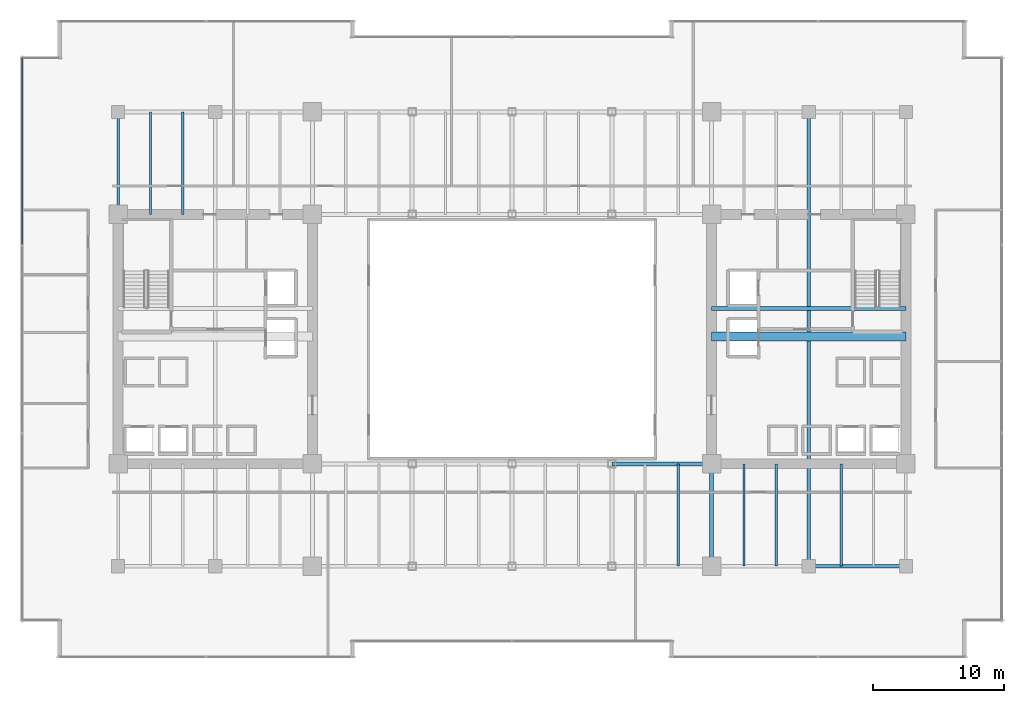
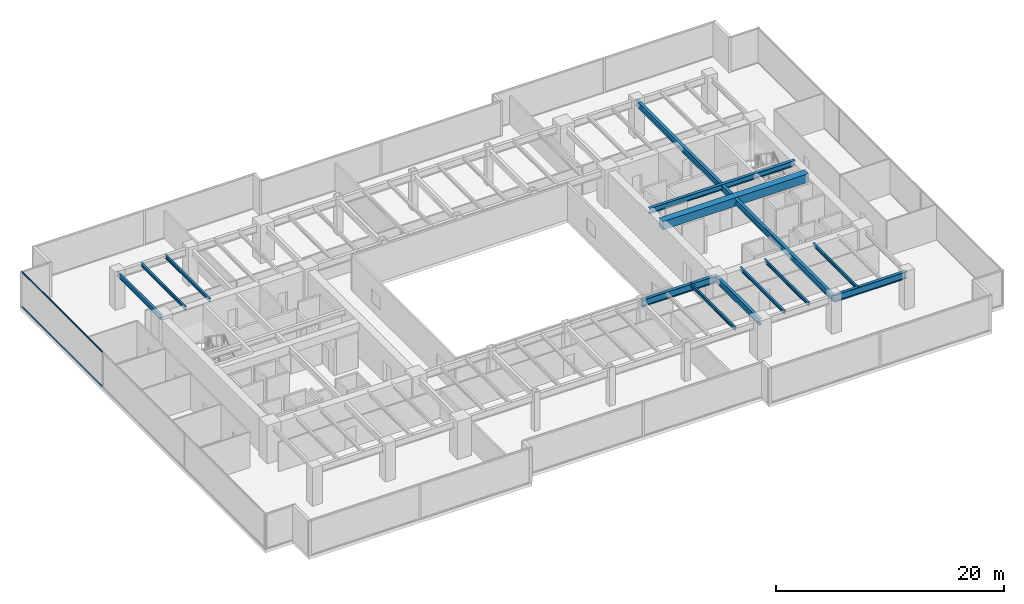
# One storey, part 11 of 35: 13 beams, 2 members, 1 element without a shape of its own.
"""IFC4 building model written with IfcOpenShell, lengths in metres."""

from ifc_helpers import new_model, si_unit, direction, frame, origin, origin_2d, place, context, subcontext, project, spatial, rectangle, hollow_rectangle, i_section, extrude, source, transform, mapped, material, layer, layer_set, material_profile, profile_set, type_object, type_shapes, element, aggregate, save


model = new_model("IFC4")

# Units and contexts
model_context = context("Model", 3, precision=1e-05, world=origin(), true_north=direction((0.0, 1.0)))
body_context = subcontext(model_context, "Body", "Model", "MODEL_VIEW")
ifc_project = project(units=[si_unit("LENGTHUNIT", "METRE"), si_unit("AREAUNIT", "SQUARE_METRE"), si_unit("VOLUMEUNIT", "CUBIC_METRE"), si_unit("PLANEANGLEUNIT", "RADIAN"), si_unit("MASSUNIT", "GRAM", prefix="KILO")], contexts=[model_context])

# Site, building, storey
site_placement = place(None, origin())
site = spatial("IfcSite", under=ifc_project, at=site_placement, CompositionType="ELEMENT")
building_placement = place(site_placement, origin())
building = spatial("IfcBuilding", under=site, at=building_placement, Name="Haelvirn Gate Laboratories", CompositionType="ELEMENT")
storey_placement = place(building_placement, frame((0.0, 0.0, 90.800048828125)))
storey = spatial("IfcBuildingStorey", under=building, at=storey_placement, Name="L22", CompositionType="ELEMENT", Elevation=90.800048828125)

# Beams
ifc_material_1 = material(Name="Concrete C60/75", Category="concrete")
ifc_material_profile_1 = material_profile(ifc_material_1, rectangle(XDim=0.699951171875, YDim=0.89990234375, at=origin_2d()), Name="RCB-700x900")
ifc_profile_set_1 = profile_set([ifc_material_profile_1], Name="Concrete C60/75")
beam_type_1 = type_object("IfcBeamType", Name="BM-RCB-900", PredefinedType="LINTEL", material=ifc_profile_set_1)
shared_shape_1 = source(origin(), body_context, "Body", "SweptSolid", [
    extrude(rectangle(XDim=0.699951171875, YDim=0.89990234375, at=origin_2d()), origin(), (0.0, 0.0, 1.0), 14.7998046875),
])
type_shapes(beam_type_1, [shared_shape_1])
beam_1_placement = place(storey_placement, frame((52.60009765625, 24.5, 3.329833984375), z_axis=(1.0, 0.0, 0.0), x_axis=(0.0, 1.0, 0.0)))
element("IfcBeam", 1, at=beam_1_placement, inside=storey, type_object=beam_type_1, Name="L22 East Core Coupling Beam", PredefinedType="LINTEL", context=body_context, shape_type="MappedRepresentation", body=[
    mapped(shared_shape_1, transform((0.0, 0.0, 0.0), scale=1.0)),
])
ifc_material_2 = material(Name="Steel SM355", Category="steel")
ifc_material_profile_2 = material_profile(ifc_material_2, i_section(OverallWidth=0.300048828125, OverallDepth=0.587890625, WebThickness=0.011962890625, FlangeThickness=0.02001953125, at=origin_2d()), Name="H-588x300x12x20")
ifc_profile_set_2 = profile_set([ifc_material_profile_2], Name="Steel SM355")
beam_type_2 = type_object("IfcBeamType", Name="BM-G-588", PredefinedType="BEAM", material=ifc_profile_set_2)
shared_shape_2 = source(origin(), body_context, "Body", "SweptSolid", [
    extrude(i_section(OverallWidth=0.300048828125, OverallDepth=0.587890625, WebThickness=0.011962890625, FlangeThickness=0.02001953125, at=origin_2d()), origin(), (0.0, 0.0, 1.0), 14.7998046875),
])
type_shapes(beam_type_2, [shared_shape_2])
beam_2_placement = place(storey_placement, frame((52.60009765625, 26.6201171875, 3.48583984375), z_axis=(1.0, 0.0, 0.0), x_axis=(0.0, 1.0, 0.0)))
element("IfcBeam", 2, at=beam_2_placement, inside=storey, type_object=beam_type_2, Name="L22 Stair ST2 Landing Header", PredefinedType="BEAM", context=body_context, shape_type="MappedRepresentation", body=[
    mapped(shared_shape_2, transform((0.0, 0.0, 0.0), scale=1.0)),
])
ifc_material_profile_3 = material_profile(ifc_material_2, i_section(OverallWidth=0.300048828125, OverallDepth=0.75, WebThickness=0.013916015625, FlangeThickness=0.02392578125, at=origin_2d()), Name="H-750x300x14x24")
ifc_profile_set_3 = profile_set([ifc_material_profile_3], Name="Steel SM355")
beam_type_3 = type_object("IfcBeamType", Name="BM-G-750", PredefinedType="BEAM", material=ifc_profile_set_3)
shared_shape_3 = source(origin(), body_context, "Body", "SweptSolid", [
    extrude(i_section(OverallWidth=0.300048828125, OverallDepth=0.75, WebThickness=0.013916015625, FlangeThickness=0.02392578125, at=origin_2d()), origin(), (0.0, 0.0, 1.0), 7.39990234375),
])
beam_3_placement = place(storey_placement, frame((60.0, 7.0, 3.405029296875), z_axis=(1.0, 0.0, 0.0), x_axis=(0.0, 1.0, 0.0)))
element("IfcBeam", 3, at=beam_3_placement, inside=storey, type_object=beam_type_3, Name="L22 Primary Girder Y7.0 (60.0-67.4)", PredefinedType="BEAM", context=body_context, shape_type="MappedRepresentation", body=[
    mapped(shared_shape_3, transform((0.0, 0.0, 0.0), scale=1.0)),
])
shared_shape_4 = source(origin(), body_context, "Body", "SweptSolid", [
    extrude(i_section(OverallWidth=0.300048828125, OverallDepth=0.75, WebThickness=0.013916015625, FlangeThickness=0.02392578125, at=origin_2d()), origin(), (0.0, 0.0, 1.0), 7.60009765625),
])
type_shapes(beam_type_3, [shared_shape_3, shared_shape_4])
beam_4_placement = place(storey_placement, frame((45.0, 14.800048828125, 3.405029296875), z_axis=(1.0, 0.0, 0.0), x_axis=(0.0, 1.0, 0.0)))
element("IfcBeam", 4, at=beam_4_placement, inside=storey, type_object=beam_type_3, Name="L22 Primary Girder Y14.8 (45.0-52.6)", PredefinedType="BEAM", context=body_context, shape_type="MappedRepresentation", body=[
    mapped(shared_shape_4, transform((0.0, 0.0, 0.0), scale=1.0)),
])
ifc_material_profile_4 = material_profile(ifc_material_2, i_section(OverallWidth=0.199951171875, OverallDepth=0.5, WebThickness=0.010009765625, FlangeThickness=0.01611328125, at=origin_2d()), Name="H-500x200x10x16")
ifc_profile_set_4 = profile_set([ifc_material_profile_4], Name="Steel SM355")
beam_type_4 = type_object("IfcBeamType", Name="BM-SP-500", PredefinedType="SPANDREL", material=ifc_profile_set_4)
shared_shape_5 = source(origin(), body_context, "Body", "SweptSolid", [
    extrude(i_section(OverallWidth=0.199951171875, OverallDepth=0.5, WebThickness=0.010009765625, FlangeThickness=0.01611328125, at=origin_2d()), origin(), (0.0, 0.0, 1.0), 7.800048828125),
])
type_shapes(beam_type_4, [shared_shape_5])
beam_5_placement = place(storey_placement, frame((7.39990234375, 33.800048828125, 3.530029296875), z_axis=(0.0, 1.0, 0.0), x_axis=(-1.0, 0.0, 0.0)))
element("IfcBeam", 5, at=beam_5_placement, inside=storey, type_object=beam_type_4, Name="L22 Perimeter Spandrel X7.4 (33.8-41.6)", PredefinedType="SPANDREL", context=body_context, shape_type="MappedRepresentation", body=[
    mapped(shared_shape_5, transform((0.0, 0.0, 0.0), scale=1.0)),
])
ifc_material_profile_5 = material_profile(ifc_material_2, i_section(OverallWidth=0.175048828125, OverallDepth=0.35009765625, WebThickness=0.007080078125, FlangeThickness=0.010986328125, at=origin_2d()), Name="H-350x175x7x11")
ifc_profile_set_5 = profile_set([ifc_material_profile_5], Name="Steel SM355")
beam_type_5 = type_object("IfcBeamType", Name="BM-J-350", PredefinedType="JOIST", material=ifc_profile_set_5)
shared_shape_6 = source(origin(), body_context, "Body", "SweptSolid", [
    extrude(i_section(OverallWidth=0.175048828125, OverallDepth=0.35009765625, WebThickness=0.007080078125, FlangeThickness=0.010986328125, at=origin_2d()), origin(), (0.0, 0.0, 1.0), 7.800048828125),
])
type_shapes(beam_type_5, [shared_shape_6])
for number, where, z_axis, x_axis, name in (
    (6, (9.8701171875, 33.800048828125, 3.60498046875), (0.0, 1.0, 0.0), (-1.0, 0.0, 0.0), "L22 Composite Lab Joist North X9.87"),
    (7, (12.330078125, 33.800048828125, 3.60498046875), (0.0, 1.0, 0.0), (-1.0, 0.0, 0.0), "L22 Composite Lab Joist North X12.33"),
    (8, (50.070068359375, 7.0, 3.60498046875), (0.0, 1.0, 0.0), (-1.0, 0.0, 0.0), "L22 Composite Lab Joist South X50.07"),
    (9, (55.070068359375, 7.0, 3.60498046875), (0.0, 1.0, 0.0), (-1.0, 0.0, 0.0), "L22 Composite Lab Joist South X55.07"),
    (10, (57.530029296875, 7.0, 3.60498046875), (0.0, 1.0, 0.0), (-1.0, 0.0, 0.0), "L22 Composite Lab Joist South X57.53"),
    (11, (62.469970703125, 7.0, 3.60498046875), (0.0, 1.0, 0.0), (-1.0, 0.0, 0.0), "L22 Composite Lab Joist South X62.47"),
):
    element("IfcBeam", number, at=place(storey_placement, frame(where, z_axis=z_axis, x_axis=x_axis)), inside=storey, type_object=beam_type_5, Name=name, PredefinedType="JOIST", context=body_context, shape_type="MappedRepresentation", body=[
        mapped(shared_shape_6, transform((0.0, 0.0, 0.0), scale=1.0)),
    ])
ifc_material_profile_6 = material_profile(ifc_material_2, i_section(OverallWidth=0.300048828125, OverallDepth=0.64990234375, WebThickness=0.012939453125, FlangeThickness=0.02197265625, at=origin_2d()), Name="H-650x300x13x22")
ifc_profile_set_6 = profile_set([ifc_material_profile_6], Name="Steel SM355")
beam_type_6 = type_object("IfcBeamType", Name="BM-G-650", PredefinedType="BEAM", material=ifc_profile_set_6)
shared_shape_7 = source(origin(), body_context, "Body", "SweptSolid", [
    extrude(i_section(OverallWidth=0.300048828125, OverallDepth=0.64990234375, WebThickness=0.012939453125, FlangeThickness=0.02197265625, at=origin_2d()), origin(), (0.0, 0.0, 1.0), 34.60009765625),
])
beam_6_placement = place(storey_placement, frame((60.0, 7.0, 3.454833984375), z_axis=(0.0, 1.0, 0.0), x_axis=(-1.0, 0.0, 0.0)))
element("IfcBeam", 12, at=beam_6_placement, inside=storey, type_object=beam_type_6, Name="L22 Frame Girder X60.0 (7.0-41.6)", PredefinedType="BEAM", context=body_context, shape_type="MappedRepresentation", body=[
    mapped(shared_shape_7, transform((0.0, 0.0, 0.0), scale=1.0)),
])
shared_shape_8 = source(origin(), body_context, "Body", "SweptSolid", [
    extrude(i_section(OverallWidth=0.300048828125, OverallDepth=0.64990234375, WebThickness=0.012939453125, FlangeThickness=0.02197265625, at=origin_2d()), origin(), (0.0, 0.0, 1.0), 7.800048828125),
])
type_shapes(beam_type_6, [shared_shape_7, shared_shape_8])
beam_7_placement = place(storey_placement, frame((52.60009765625, 7.0, 3.454833984375), z_axis=(0.0, 1.0, 0.0), x_axis=(-1.0, 0.0, 0.0)))
element("IfcBeam", 13, at=beam_7_placement, inside=storey, type_object=beam_type_6, Name="L22 Frame Girder X52.6 (7.0-14.8)", PredefinedType="BEAM", context=body_context, shape_type="MappedRepresentation", body=[
    mapped(shared_shape_8, transform((0.0, 0.0, 0.0), scale=1.0)),
])

# Curtain wall, members
ifc_material_3 = material(Name="Anodised bronze unitised aluminium & triple low-E glass", Category="aluminium")
ifc_layer = layer(ifc_material_3, 0.18408203125, Name="CW-SYS-2")
ifc_layer_set = layer_set([ifc_layer], Name="Anodised bronze unitised aluminium & triple low-E glass")
curtain_wall_type = type_object("IfcCurtainWallType", Name="CW-SYS-2", PredefinedType="NOTDEFINED", material=ifc_layer_set)
curtain_wall_placement = place(storey_placement, origin())
curtain_wall = element("IfcCurtainWall", 14, at=curtain_wall_placement, inside=storey, type_object=curtain_wall_type, Name="L22 Unitised Curtain Wall CW-L22-P0-E17", PredefinedType="NOTDEFINED")
ifc_material_4 = material(Name="Extruded aluminium 6063-T6 (anodised bronze)", Category="aluminium")
ifc_material_profile_7 = material_profile(ifc_material_4, hollow_rectangle(XDim=0.070068359375, YDim=0.159912109375, WallThickness=0.0048828125, at=origin_2d()), Name="CWT-160x70x5")
ifc_profile_set_7 = profile_set([ifc_material_profile_7], Name="Extruded aluminium 6063-T6 (anodised bronze)")
member_type = type_object("IfcMemberType", Name="CWT-T160", PredefinedType="USERDEFINED", material=ifc_profile_set_7)
shared_shape_9 = source(origin(), body_context, "Body", "SweptSolid", [
    extrude(hollow_rectangle(XDim=0.070068359375, YDim=0.159912109375, WallThickness=0.0048828125, at=origin_2d()), origin(), (0.0, 0.0, 1.0), 14.220947265625),
])
type_shapes(member_type, [shared_shape_9])
member_1_placement = place(storey_placement, frame((0.10009765625, 45.72509765625, 0.034912109375), z_axis=(0.0, -1.0, 0.0), x_axis=(1.0, 0.0, 0.0)))
member_1 = element("IfcMember", 15, at=member_1_placement, type_object=member_type, Name="CW2 transom 1.1", ObjectType="TRANSOM", PredefinedType="USERDEFINED", context=body_context, shape_type="MappedRepresentation", body=[
    mapped(shared_shape_9, transform((0.0, 0.0, 0.0), scale=1.0)),
])
member_2_placement = place(storey_placement, frame((0.10009765625, 45.72509765625, 3.744873046875), z_axis=(0.0, -1.0, 0.0), x_axis=(1.0, 0.0, 0.0)))
member_2 = element("IfcMember", 16, at=member_2_placement, type_object=member_type, Name="CW2 transom 1.2", ObjectType="TRANSOM", PredefinedType="USERDEFINED", context=body_context, shape_type="MappedRepresentation", body=[
    mapped(shared_shape_9, transform((0.0, 0.0, 0.0), scale=1.0)),
])
aggregate(curtain_wall, [member_1, member_2])

save(model, "model.ifc")
